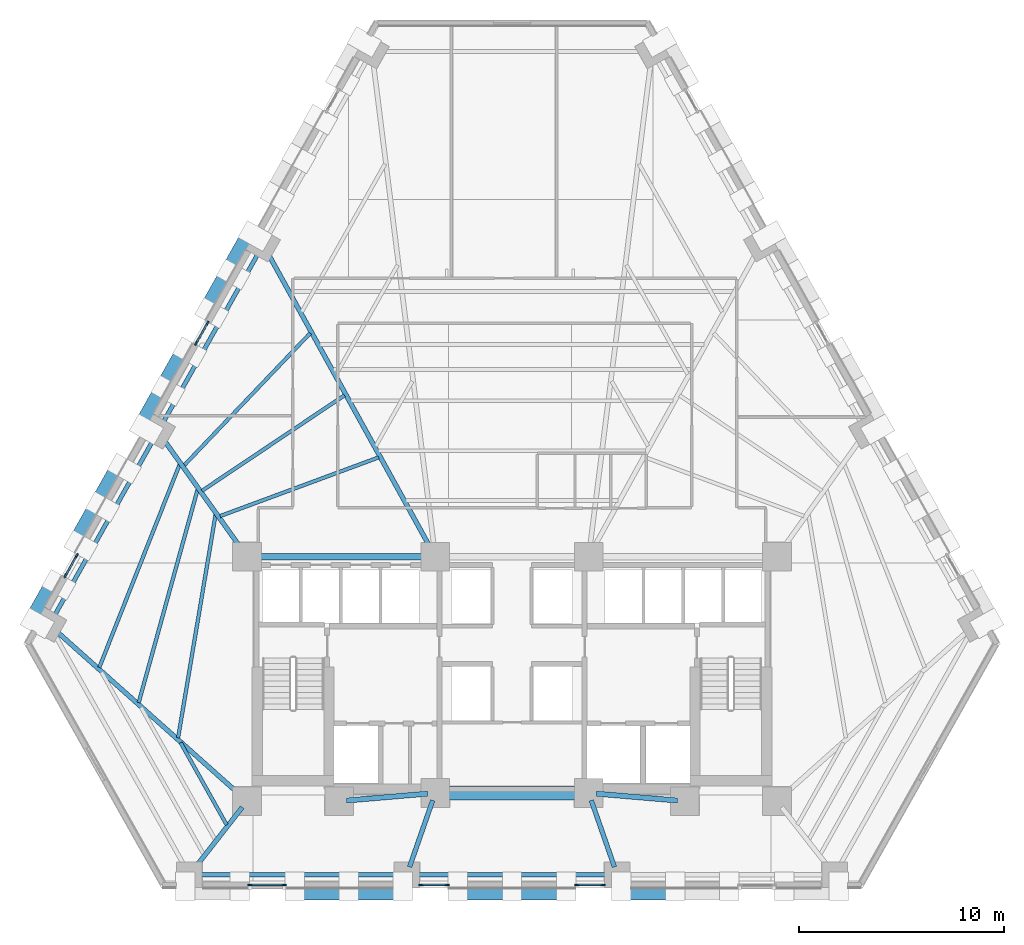
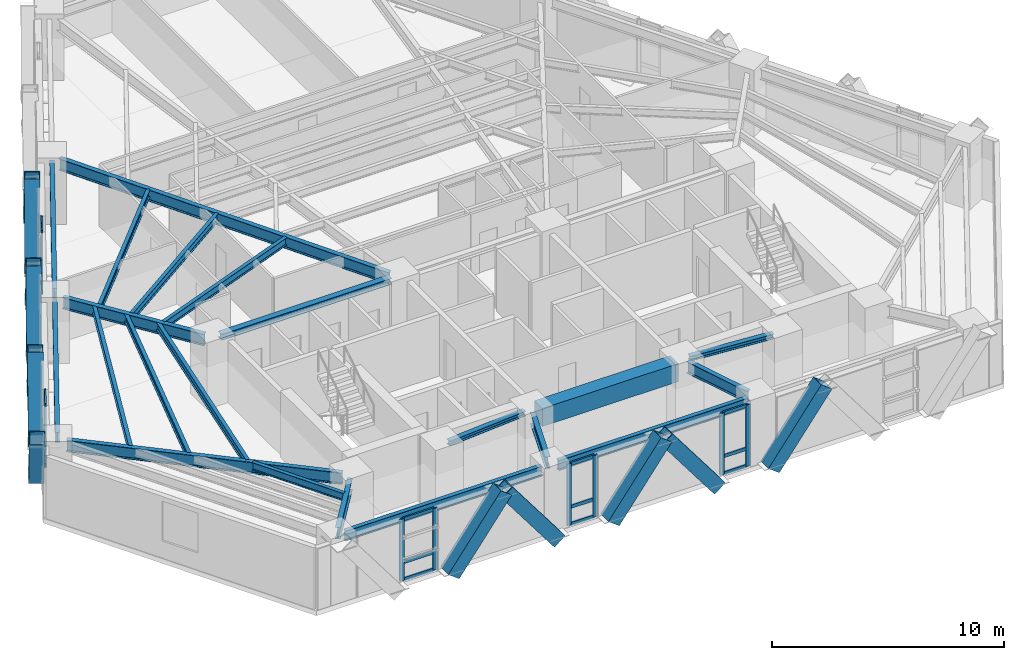
# One storey, part 2 of 13: 37 members, 21 beams, 5 elements without a shape of their own.
"""IFC4 building model written with IfcOpenShell, lengths in metres."""

from ifc_helpers import new_model, si_unit, direction, frame, origin, origin_2d, place, context, subcontext, project, spatial, rectangle, hollow_rectangle, i_section, extrude, material, material_profile, profile_set, type_object, element, aggregate, save


model = new_model("IFC4")

# Units and contexts
model_context = context("Model", 3, precision=1e-05, world=origin(), true_north=direction((0.0, 1.0)))
body_context = subcontext(model_context, "Body", "Model", "MODEL_VIEW")
ifc_project = project(units=[si_unit("LENGTHUNIT", "METRE"), si_unit("AREAUNIT", "SQUARE_METRE"), si_unit("VOLUMEUNIT", "CUBIC_METRE"), si_unit("PLANEANGLEUNIT", "RADIAN"), si_unit("MASSUNIT", "GRAM", prefix="KILO")], contexts=[model_context])

# Site, building, storey
site_placement = place(None, origin())
site = spatial("IfcSite", under=ifc_project, at=site_placement, CompositionType="ELEMENT")
building_placement = place(site_placement, origin())
building = spatial("IfcBuilding", under=site, at=building_placement, Name="Quenlor Broadcast Tower", CompositionType="ELEMENT")
storey_placement = place(building_placement, frame((0.0, 0.0, 55.60009765625)))
storey = spatial("IfcBuildingStorey", under=building, at=storey_placement, Name="L14", CompositionType="ELEMENT", Elevation=55.60009765625)

# Curtain wall, members
ifc_material_1 = material(Name="Architectural Terracotta and Low-E Glazing", Category="masonry")
curtain_wall_type = type_object("IfcCurtainWallType", Name="Unitised Terracotta Curtain Wall System Z1", PredefinedType="NOTDEFINED", material=ifc_material_1)
curtain_wall_1_placement = place(storey_placement, origin())
curtain_wall_1 = element("IfcCurtainWall", 1, at=curtain_wall_1_placement, inside=storey, type_object=curtain_wall_type, Name="L14 Curtain Wall CW1 (L14-SC-G1)", PredefinedType="NOTDEFINED")
ifc_material_2 = material(Name="Aluminium 6063-T6", Category="aluminium")
ifc_material_profile_1 = material_profile(ifc_material_2, rectangle(XDim=0.080078125, YDim=0.219970703125, at=origin_2d()))
ifc_profile_set_1 = profile_set([ifc_material_profile_1], Name="Aluminium 6063-T6 MULL80x220")
member_type_1 = type_object("IfcMemberType", Name="CW1 Aluminium Mullion MULL_CW1", PredefinedType="MULLION", material=ifc_profile_set_1)
member_1_placement = place(storey_placement, frame((-11.146484375, -20.840087890625, 0.0), z_axis=(0.0, 0.0, 1.0), x_axis=(0.0, -1.0, 0.0)))
member_1 = element("IfcMember", 2, at=member_1_placement, type_object=member_type_1, Name="CW1 mullion 1", PredefinedType="MULLION", context=body_context, shape_type="SweptSolid", body=[
    extrude(rectangle(XDim=0.080078125, YDim=0.219970703125, at=origin_2d()), origin(), (0.0, 0.0, 1.0), 3.25),
])
member_2_placement = place(storey_placement, frame((-12.794921875, -20.840087890625, 0.0), z_axis=(0.0, 0.0, 1.0), x_axis=(0.0, -1.0, 0.0)))
member_2 = element("IfcMember", 3, at=member_2_placement, type_object=member_type_1, Name="CW1 mullion 2", PredefinedType="MULLION", context=body_context, shape_type="SweptSolid", body=[
    extrude(rectangle(XDim=0.080078125, YDim=0.219970703125, at=origin_2d()), origin(), (0.0, 0.0, 1.0), 3.25),
])

curtain_wall_2_placement = place(storey_placement, origin())
curtain_wall_2 = element("IfcCurtainWall", 4, at=curtain_wall_2_placement, inside=storey, type_object=curtain_wall_type, Name="L14 Curtain Wall CW1 (L14-S-G1)", PredefinedType="NOTDEFINED")
member_3_placement = place(storey_placement, frame((4.455810546875, -20.840087890625, 0.0), z_axis=(0.0, 0.0, 1.0), x_axis=(0.0, -1.0, 0.0)))
member_3 = element("IfcMember", 5, at=member_3_placement, type_object=member_type_1, Name="CW1 mullion 1", PredefinedType="MULLION", context=body_context, shape_type="SweptSolid", body=[
    extrude(rectangle(XDim=0.080078125, YDim=0.219970703125, at=origin_2d()), origin(), (0.0, 0.0, 1.0), 3.25),
])
member_4_placement = place(storey_placement, frame((3.166015625, -20.840087890625, 0.0), z_axis=(0.0, 0.0, 1.0), x_axis=(0.0, -1.0, 0.0)))
member_4 = element("IfcMember", 6, at=member_4_placement, type_object=member_type_1, Name="CW1 mullion 2", PredefinedType="MULLION", context=body_context, shape_type="SweptSolid", body=[
    extrude(rectangle(XDim=0.080078125, YDim=0.219970703125, at=origin_2d()), origin(), (0.0, 0.0, 1.0), 3.25),
])

curtain_wall_3_placement = place(storey_placement, origin())
curtain_wall_3 = element("IfcCurtainWall", 7, at=curtain_wall_3_placement, inside=storey, type_object=curtain_wall_type, Name="L14 Curtain Wall CW1 (L14-S-G2)", PredefinedType="NOTDEFINED")
member_5_placement = place(storey_placement, frame((-3.166015625, -20.840087890625, 0.0), z_axis=(0.0, 0.0, 1.0), x_axis=(0.0, -1.0, 0.0)))
member_5 = element("IfcMember", 8, at=member_5_placement, type_object=member_type_1, Name="CW1 mullion 1", PredefinedType="MULLION", context=body_context, shape_type="SweptSolid", body=[
    extrude(rectangle(XDim=0.080078125, YDim=0.219970703125, at=origin_2d()), origin(), (0.0, 0.0, 1.0), 3.25),
])
member_6_placement = place(storey_placement, frame((-4.455810546875, -20.840087890625, 0.0), z_axis=(0.0, 0.0, 1.0), x_axis=(0.0, -1.0, 0.0)))
member_6 = element("IfcMember", 9, at=member_6_placement, type_object=member_type_1, Name="CW1 mullion 2", PredefinedType="MULLION", context=body_context, shape_type="SweptSolid", body=[
    extrude(rectangle(XDim=0.080078125, YDim=0.219970703125, at=origin_2d()), origin(), (0.0, 0.0, 1.0), 3.25),
])

curtain_wall_4_placement = place(storey_placement, origin())
curtain_wall_4 = element("IfcCurtainWall", 10, at=curtain_wall_4_placement, inside=storey, type_object=curtain_wall_type, Name="L14 Curtain Wall CW1 (L14-NWA-G1)", PredefinedType="NOTDEFINED")
member_7_placement = place(storey_placement, frame((-21.830322265625, -5.736083984375, 0.0), z_axis=(0.0, 0.0, 1.0), x_axis=(-0.871602077703, 0.490214053392, 0.0)))
member_7 = element("IfcMember", 11, at=member_7_placement, type_object=member_type_1, Name="CW1 mullion 1", PredefinedType="MULLION", context=body_context, shape_type="SweptSolid", body=[
    extrude(rectangle(XDim=0.080078125, YDim=0.219970703125, at=origin_2d()), origin(), (0.0, 0.0, 1.0), 3.25),
])
member_8_placement = place(storey_placement, frame((-21.277587890625, -4.75341796875, 0.0), z_axis=(0.0, 0.0, 1.0), x_axis=(-0.871602077703, 0.490214053392, 0.0)))
member_8 = element("IfcMember", 12, at=member_8_placement, type_object=member_type_1, Name="CW1 mullion 2", PredefinedType="MULLION", context=body_context, shape_type="SweptSolid", body=[
    extrude(rectangle(XDim=0.080078125, YDim=0.219970703125, at=origin_2d()), origin(), (0.0, 0.0, 1.0), 3.25),
])

curtain_wall_5_placement = place(storey_placement, origin())
curtain_wall_5 = element("IfcCurtainWall", 13, at=curtain_wall_5_placement, inside=storey, type_object=curtain_wall_type, Name="L14 Curtain Wall CW1 (L14-NW-G1)", PredefinedType="NOTDEFINED")
member_9_placement = place(storey_placement, frame((-15.436767578125, 5.63037109375, 0.0), z_axis=(0.0, 0.0, 1.0), x_axis=(-0.871566690057, 0.49027696742, 0.0)))
member_9 = element("IfcMember", 14, at=member_9_placement, type_object=member_type_1, Name="CW1 mullion 1", PredefinedType="MULLION", context=body_context, shape_type="SweptSolid", body=[
    extrude(rectangle(XDim=0.080078125, YDim=0.219970703125, at=origin_2d()), origin(), (0.0, 0.0, 1.0), 3.25),
])
member_10_placement = place(storey_placement, frame((-14.884033203125, 6.613037109375, 0.0), z_axis=(0.0, 0.0, 1.0), x_axis=(-0.871566690057, 0.49027696742, 0.0)))
member_10 = element("IfcMember", 15, at=member_10_placement, type_object=member_type_1, Name="CW1 mullion 2", PredefinedType="MULLION", context=body_context, shape_type="SweptSolid", body=[
    extrude(rectangle(XDim=0.080078125, YDim=0.219970703125, at=origin_2d()), origin(), (0.0, 0.0, 1.0), 3.25),
])

# Member
ifc_material_3 = material(Name="Aluminium 6063-T6", Category="aluminium")
ifc_material_profile_2 = material_profile(ifc_material_3, rectangle(XDim=0.080078125, YDim=0.179931640625, at=origin_2d()))
ifc_profile_set_2 = profile_set([ifc_material_profile_2], Name="Aluminium 6063-T6 TRAN80x180")
member_type_2 = type_object("IfcMemberType", Name="CW1 Aluminium Transom TRAN_CW1", PredefinedType="USERDEFINED", material=ifc_profile_set_2)
member_11_placement = place(storey_placement, frame((-11.1865234375, -20.840087890625, 0.039794921875), z_axis=(-1.0, 0.0, 0.0), x_axis=(0.0, -1.0, 0.0)))
member_11 = element("IfcMember", 16, at=member_11_placement, type_object=member_type_2, Name="CW1 transom 1.1", ObjectType="TRANSOM", PredefinedType="USERDEFINED", context=body_context, shape_type="SweptSolid", body=[
    extrude(rectangle(XDim=0.080078125, YDim=0.179931640625, at=origin_2d()), origin(), (0.0, 0.0, 1.0), 1.568359375),
])

member_12_placement = place(storey_placement, frame((-11.1865234375, -20.840087890625, 0.949951171875), z_axis=(-1.0, 0.0, 0.0), x_axis=(0.0, -1.0, 0.0)))
member_12 = element("IfcMember", 17, at=member_12_placement, type_object=member_type_2, Name="CW1 transom 1.2", ObjectType="TRANSOM", PredefinedType="USERDEFINED", context=body_context, shape_type="SweptSolid", body=[
    extrude(rectangle(XDim=0.080078125, YDim=0.179931640625, at=origin_2d()), origin(), (0.0, 0.0, 1.0), 1.568359375),
])

member_13_placement = place(storey_placement, frame((-11.1865234375, -20.840087890625, 3.2099609375), z_axis=(-1.0, 0.0, 0.0), x_axis=(0.0, -1.0, 0.0)))
member_13 = element("IfcMember", 18, at=member_13_placement, type_object=member_type_2, Name="CW1 transom 1.3", ObjectType="TRANSOM", PredefinedType="USERDEFINED", context=body_context, shape_type="SweptSolid", body=[
    extrude(rectangle(XDim=0.080078125, YDim=0.179931640625, at=origin_2d()), origin(), (0.0, 0.0, 1.0), 1.568359375),
])

aggregate(curtain_wall_1, [member_1, member_2, member_11, member_12, member_13])

member_14_placement = place(storey_placement, frame((4.415771484375, -20.840087890625, 0.039794921875), z_axis=(-1.0, 0.0, 0.0), x_axis=(0.0, -1.0, 0.0)))
member_14 = element("IfcMember", 19, at=member_14_placement, type_object=member_type_2, Name="CW1 transom 1.1", ObjectType="TRANSOM", PredefinedType="USERDEFINED", context=body_context, shape_type="SweptSolid", body=[
    extrude(rectangle(XDim=0.080078125, YDim=0.179931640625, at=origin_2d()), origin(), (0.0, 0.0, 1.0), 1.209716796875),
])

member_15_placement = place(storey_placement, frame((4.415771484375, -20.840087890625, 0.949951171875), z_axis=(-1.0, 0.0, 0.0), x_axis=(0.0, -1.0, 0.0)))
member_15 = element("IfcMember", 20, at=member_15_placement, type_object=member_type_2, Name="CW1 transom 1.2", ObjectType="TRANSOM", PredefinedType="USERDEFINED", context=body_context, shape_type="SweptSolid", body=[
    extrude(rectangle(XDim=0.080078125, YDim=0.179931640625, at=origin_2d()), origin(), (0.0, 0.0, 1.0), 1.209716796875),
])

member_16_placement = place(storey_placement, frame((4.415771484375, -20.840087890625, 3.2099609375), z_axis=(-1.0, 0.0, 0.0), x_axis=(0.0, -1.0, 0.0)))
member_16 = element("IfcMember", 21, at=member_16_placement, type_object=member_type_2, Name="CW1 transom 1.3", ObjectType="TRANSOM", PredefinedType="USERDEFINED", context=body_context, shape_type="SweptSolid", body=[
    extrude(rectangle(XDim=0.080078125, YDim=0.179931640625, at=origin_2d()), origin(), (0.0, 0.0, 1.0), 1.209716796875),
])

aggregate(curtain_wall_2, [member_3, member_4, member_14, member_15, member_16])

member_17_placement = place(storey_placement, frame((-3.2060546875, -20.840087890625, 0.039794921875), z_axis=(-1.0, 0.0, 0.0), x_axis=(0.0, -1.0, 0.0)))
member_17 = element("IfcMember", 22, at=member_17_placement, type_object=member_type_2, Name="CW1 transom 1.1", ObjectType="TRANSOM", PredefinedType="USERDEFINED", context=body_context, shape_type="SweptSolid", body=[
    extrude(rectangle(XDim=0.080078125, YDim=0.179931640625, at=origin_2d()), origin(), (0.0, 0.0, 1.0), 1.209716796875),
])

member_18_placement = place(storey_placement, frame((-3.2060546875, -20.840087890625, 0.949951171875), z_axis=(-1.0, 0.0, 0.0), x_axis=(0.0, -1.0, 0.0)))
member_18 = element("IfcMember", 23, at=member_18_placement, type_object=member_type_2, Name="CW1 transom 1.2", ObjectType="TRANSOM", PredefinedType="USERDEFINED", context=body_context, shape_type="SweptSolid", body=[
    extrude(rectangle(XDim=0.080078125, YDim=0.179931640625, at=origin_2d()), origin(), (0.0, 0.0, 1.0), 1.209716796875),
])

member_19_placement = place(storey_placement, frame((-3.2060546875, -20.840087890625, 3.2099609375), z_axis=(-1.0, 0.0, 0.0), x_axis=(0.0, -1.0, 0.0)))
member_19 = element("IfcMember", 24, at=member_19_placement, type_object=member_type_2, Name="CW1 transom 1.3", ObjectType="TRANSOM", PredefinedType="USERDEFINED", context=body_context, shape_type="SweptSolid", body=[
    extrude(rectangle(XDim=0.080078125, YDim=0.179931640625, at=origin_2d()), origin(), (0.0, 0.0, 1.0), 1.209716796875),
])

aggregate(curtain_wall_3, [member_5, member_6, member_17, member_18, member_19])

member_20_placement = place(storey_placement, frame((-21.810791015625, -5.701171875, 0.039794921875), z_axis=(0.490228036821, 0.871594212874, 0.0), x_axis=(-0.871594212874, 0.490228036821, 0.0)))
member_20 = element("IfcMember", 25, at=member_20_placement, type_object=member_type_2, Name="CW1 transom 1.1", ObjectType="TRANSOM", PredefinedType="USERDEFINED", context=body_context, shape_type="SweptSolid", body=[
    extrude(rectangle(XDim=0.080078125, YDim=0.179931640625, at=origin_2d()), origin(), (0.0, 0.0, 1.0), 1.04736328125),
])

member_21_placement = place(storey_placement, frame((-21.810791015625, -5.701171875, 0.949951171875), z_axis=(0.490228036821, 0.871594212874, 0.0), x_axis=(-0.871594212874, 0.490228036821, 0.0)))
member_21 = element("IfcMember", 26, at=member_21_placement, type_object=member_type_2, Name="CW1 transom 1.2", ObjectType="TRANSOM", PredefinedType="USERDEFINED", context=body_context, shape_type="SweptSolid", body=[
    extrude(rectangle(XDim=0.080078125, YDim=0.179931640625, at=origin_2d()), origin(), (0.0, 0.0, 1.0), 1.04736328125),
])

member_22_placement = place(storey_placement, frame((-21.810791015625, -5.701171875, 3.2099609375), z_axis=(0.490228036821, 0.871594212874, 0.0), x_axis=(-0.871594212874, 0.490228036821, 0.0)))
member_22 = element("IfcMember", 27, at=member_22_placement, type_object=member_type_2, Name="CW1 transom 1.3", ObjectType="TRANSOM", PredefinedType="USERDEFINED", context=body_context, shape_type="SweptSolid", body=[
    extrude(rectangle(XDim=0.080078125, YDim=0.179931640625, at=origin_2d()), origin(), (0.0, 0.0, 1.0), 1.04736328125),
])

aggregate(curtain_wall_4, [member_7, member_8, member_20, member_21, member_22])

member_23_placement = place(storey_placement, frame((-15.417236328125, 5.6650390625, 0.039794921875), z_axis=(0.490128451098, 0.87165021736, 0.0), x_axis=(-0.87165021736, 0.490128451098, 0.0)))
member_23 = element("IfcMember", 28, at=member_23_placement, type_object=member_type_2, Name="CW1 transom 1.1", ObjectType="TRANSOM", PredefinedType="USERDEFINED", context=body_context, shape_type="SweptSolid", body=[
    extrude(rectangle(XDim=0.080078125, YDim=0.179931640625, at=origin_2d()), origin(), (0.0, 0.0, 1.0), 1.047607421875),
])

member_24_placement = place(storey_placement, frame((-15.417236328125, 5.6650390625, 0.949951171875), z_axis=(0.490128451098, 0.87165021736, 0.0), x_axis=(-0.87165021736, 0.490128451098, 0.0)))
member_24 = element("IfcMember", 29, at=member_24_placement, type_object=member_type_2, Name="CW1 transom 1.2", ObjectType="TRANSOM", PredefinedType="USERDEFINED", context=body_context, shape_type="SweptSolid", body=[
    extrude(rectangle(XDim=0.080078125, YDim=0.179931640625, at=origin_2d()), origin(), (0.0, 0.0, 1.0), 1.047607421875),
])

member_25_placement = place(storey_placement, frame((-15.417236328125, 5.6650390625, 3.2099609375), z_axis=(0.490128451098, 0.87165021736, 0.0), x_axis=(-0.87165021736, 0.490128451098, 0.0)))
member_25 = element("IfcMember", 30, at=member_25_placement, type_object=member_type_2, Name="CW1 transom 1.3", ObjectType="TRANSOM", PredefinedType="USERDEFINED", context=body_context, shape_type="SweptSolid", body=[
    extrude(rectangle(XDim=0.080078125, YDim=0.179931640625, at=origin_2d()), origin(), (0.0, 0.0, 1.0), 1.047607421875),
])

aggregate(curtain_wall_5, [member_9, member_10, member_23, member_24, member_25])

# Beams
ifc_material_4 = material(Name="Concrete C50/60", Category="concrete")
ifc_material_profile_3 = material_profile(ifc_material_4, rectangle(XDim=0.699951171875, YDim=0.949951171875, at=origin_2d()))
ifc_profile_set_3 = profile_set([ifc_material_profile_3], Name="Concrete C50/60 RCB700x950")
beam_type_1 = type_object("IfcBeamType", Name="Core Coupling Beam Concrete C50/60 700x950", PredefinedType="BEAM", material=ifc_profile_set_3)
beam_1_placement = place(storey_placement, frame((-3.389892578125, -16.35009765625, 2.77490234375), z_axis=(1.0, 0.0, 0.0), x_axis=(0.0, 1.0, 0.0)))
element("IfcBeam", 31, at=beam_1_placement, inside=storey, type_object=beam_type_1, Name="L14 Core Coupling Beam 6", PredefinedType="BEAM", context=body_context, shape_type="SweptSolid", body=[
    extrude(rectangle(XDim=0.699951171875, YDim=0.949951171875, at=origin_2d()), origin(), (0.0, 0.0, 1.0), 6.77978515625),
])
ifc_material_5 = material(Name="Steel S355", Category="steel")
ifc_material_profile_4 = material_profile(ifc_material_5, i_section(OverallWidth=0.25390625, OverallDepth=0.25390625, WebThickness=0.008544921875, FlangeThickness=0.01416015625, FilletRadius=0.013916015625, at=origin_2d()))
ifc_profile_set_4 = profile_set([ifc_material_profile_4], Name="Steel S355 250UC72.9")
beam_type_2 = type_object("IfcBeamType", Name="Core Opening Lintel Beam Steel S355 250UC72.9", PredefinedType="LINTEL", material=ifc_profile_set_4)
for number, where, z_axis, x_axis, name in (
    (32, (-8.09130859375, -16.719482421875, 3.123046875), (0.996399763903, 0.084779186679, 0.0), (-0.084779186679, 0.996399763903, 0.0), "L14 Core Opening Lintel Beam 4"),
    (33, (4.108642578125, -16.380615234375, 3.123046875), (0.996399763903, -0.084779186679, 0.0), (0.084779186679, 0.996399763903, 0.0), "L14 Core Opening Lintel Beam 5"),
):
    element("IfcBeam", number, at=place(storey_placement, frame(where, z_axis=z_axis, x_axis=x_axis)), inside=storey, type_object=beam_type_2, Name=name, PredefinedType="LINTEL", context=body_context, shape_type="SweptSolid", body=[
        extrude(i_section(OverallWidth=0.25390625, OverallDepth=0.25390625, WebThickness=0.008544921875, FlangeThickness=0.01416015625, FilletRadius=0.013916015625, at=origin_2d()), origin(), (0.0, 0.0, 1.0), 3.9970703125),
    ])
ifc_material_6 = material(Name="Steel S355", Category="steel")
ifc_material_profile_5 = material_profile(ifc_material_6, i_section(OverallWidth=0.306884765625, OverallDepth=0.314697265625, WebThickness=0.011962890625, FlangeThickness=0.018798828125, FilletRadius=0.0166015625, at=origin_2d()))
ifc_profile_set_5 = profile_set([ifc_material_profile_5], Name="Steel S355 310UC118")
beam_type_3 = type_object("IfcBeamType", Name="Core Tie Beam Steel S355 310UC118", PredefinedType="BEAM", material=ifc_profile_set_5)
beam_2_placement = place(storey_placement, frame((-12.590087890625, -4.800048828125, 3.092529296875), z_axis=(1.0, 0.0, 0.0), x_axis=(0.0, 1.0, 0.0)))
element("IfcBeam", 34, at=beam_2_placement, inside=storey, type_object=beam_type_3, Name="L14 Core Tie Beam 1", PredefinedType="BEAM", context=body_context, shape_type="SweptSolid", body=[
    extrude(i_section(OverallWidth=0.306884765625, OverallDepth=0.314697265625, WebThickness=0.011962890625, FlangeThickness=0.018798828125, FilletRadius=0.0166015625, at=origin_2d()), origin(), (0.0, 0.0, 1.0), 8.47998046875),
])

# Members
ifc_material_7 = material(Name="Steel S355", Category="steel")
ifc_material_profile_6 = material_profile(ifc_material_7, hollow_rectangle(XDim=0.679931640625, YDim=0.679931640625, WallThickness=0.034912109375, at=origin_2d()))
ifc_profile_set_6 = profile_set([ifc_material_profile_6], Name="Steel S355 RHS680x680x35")
member_type_3 = type_object("IfcMemberType", Name="Perimeter Diagonal Lattice Brace Z1 Steel S355 RHS680x35", PredefinedType="BRACE", material=ifc_profile_set_6)
for number, where, z_axis, x_axis, name in (
    (35, (2.644287109375, -21.235107421875, -0.1201171875), (-0.600463982679, 0.0, 0.799651802665), (0.0, -1.0, 0.0), "L14 Perimeter Diamond Lattice S-C2S"),
    (36, (5.336181640625, -21.235107421875, -0.1201171875), (0.60049964856, 0.0, 0.799625019668), (0.0, 1.0, 0.0), "L14 Perimeter Diamond Lattice S-C2B"),
    (37, (-5.336181640625, -21.235107421875, -0.1201171875), (-0.60049964856, 0.0, 0.799625019668), (0.0, -1.0, 0.0), "L14 Perimeter Diamond Lattice S-C3S"),
    (38, (-2.644287109375, -21.235107421875, -0.1201171875), (0.600463982679, 0.0, 0.799651802665), (0.0, 1.0, 0.0), "L14 Perimeter Diamond Lattice S-C3B"),
    (39, (-10.624755859375, -21.235107421875, -0.1201171875), (0.600463982679, 0.0, 0.799651802665), (0.0, 1.0, 0.0), "L14 Perimeter Diamond Lattice S-C4B"),
):
    element("IfcMember", number, at=place(storey_placement, frame(where, z_axis=z_axis, x_axis=x_axis)), inside=storey, type_object=member_type_3, Name=name, PredefinedType="BRACE", context=body_context, shape_type="SweptSolid", body=[
        extrude(hollow_rectangle(XDim=0.679931640625, YDim=0.679931640625, WallThickness=0.034912109375, at=origin_2d()), origin(), (0.0, 0.0, 1.0), 4.376953125),
    ])
member_26_placement = place(storey_placement, frame((-21.359130859375, -4.092529296875, -0.1201171875), z_axis=(0.256375341489, 0.45579159737, 0.852364771705), x_axis=(-0.871581609758, 0.490250443683, 0.0)))
element("IfcMember", 40, at=member_26_placement, inside=storey, type_object=member_type_3, Name="L14 Perimeter Diamond Lattice NW-C1S", PredefinedType="BRACE", context=body_context, shape_type="SweptSolid", body=[
    extrude(hollow_rectangle(XDim=0.679931640625, YDim=0.679931640625, WallThickness=0.034912109375, at=origin_2d()), origin(), (0.0, 0.0, 1.0), 4.106201171875),
])
member_27_placement = place(storey_placement, frame((-22.4375, -6.009521484375, -0.1201171875), z_axis=(-0.256368393635, -0.455838699906, 0.852341672343), x_axis=(0.871608931644, -0.490201866865, 0.0)))
element("IfcMember", 41, at=member_27_placement, inside=storey, type_object=member_type_3, Name="L14 Perimeter Diamond Lattice NW-C1B", PredefinedType="BRACE", context=body_context, shape_type="SweptSolid", body=[
    extrude(hollow_rectangle(XDim=0.679931640625, YDim=0.679931640625, WallThickness=0.034912109375, at=origin_2d()), origin(), (0.0, 0.0, 1.0), 4.1064453125),
])
for number, where, z_axis, x_axis, name in (
    (42, (-18.162353515625, 1.5908203125, -0.1201171875), (0.256375341489, 0.45579159737, 0.852364771705), (-0.871581609758, 0.490250443683, 0.0), "L14 Perimeter Diamond Lattice NW-C2S"),
    (43, (-19.24072265625, -0.326416015625, -0.1201171875), (-0.256375341489, -0.45579159737, 0.852364771705), (0.871581609758, -0.490250443683, 0.0), "L14 Perimeter Diamond Lattice NW-C2B"),
):
    element("IfcMember", number, at=place(storey_placement, frame(where, z_axis=z_axis, x_axis=x_axis)), inside=storey, type_object=member_type_3, Name=name, PredefinedType="BRACE", context=body_context, shape_type="SweptSolid", body=[
        extrude(hollow_rectangle(XDim=0.679931640625, YDim=0.679931640625, WallThickness=0.034912109375, at=origin_2d()), origin(), (0.0, 0.0, 1.0), 4.106201171875),
    ])
member_28_placement = place(storey_placement, frame((-14.965576171875, 7.273681640625, -0.1201171875), z_axis=(0.256368393635, 0.455838699906, 0.852341672343), x_axis=(-0.871608931644, 0.490201866865, 0.0)))
element("IfcMember", 44, at=member_28_placement, inside=storey, type_object=member_type_3, Name="L14 Perimeter Diamond Lattice NW-C3S", PredefinedType="BRACE", context=body_context, shape_type="SweptSolid", body=[
    extrude(hollow_rectangle(XDim=0.679931640625, YDim=0.679931640625, WallThickness=0.034912109375, at=origin_2d()), origin(), (0.0, 0.0, 1.0), 4.1064453125),
])
for number, where, z_axis, x_axis, name in (
    (45, (-16.0439453125, 5.356689453125, -0.1201171875), (-0.256375341489, -0.45579159737, 0.852364771705), (0.871581609758, -0.490250443683, 0.0), "L14 Perimeter Diamond Lattice NW-C3B"),
    (46, (-12.84716796875, 11.039794921875, -0.1201171875), (-0.256375341489, -0.45579159737, 0.852364771705), (0.871581609758, -0.490250443683, 0.0), "L14 Perimeter Diamond Lattice NW-C4B"),
):
    element("IfcMember", number, at=place(storey_placement, frame(where, z_axis=z_axis, x_axis=x_axis)), inside=storey, type_object=member_type_3, Name=name, PredefinedType="BRACE", context=body_context, shape_type="SweptSolid", body=[
        extrude(hollow_rectangle(XDim=0.679931640625, YDim=0.679931640625, WallThickness=0.034912109375, at=origin_2d()), origin(), (0.0, 0.0, 1.0), 4.106201171875),
    ])

# Beams
ifc_material_8 = material(Name="Steel S355", Category="steel")
ifc_material_profile_7 = material_profile(ifc_material_8, i_section(OverallWidth=0.208984375, OverallDepth=0.532958984375, WebThickness=0.01025390625, FlangeThickness=0.015625, FilletRadius=0.013916015625, at=origin_2d()))
ifc_profile_set_7 = profile_set([ifc_material_profile_7], Name="Steel S355 530UB92.4")
beam_type_4 = type_object("IfcBeamType", Name="Perimeter Spandrel Beam Z1 Steel S355 530UB92.4", PredefinedType="SPANDREL", material=ifc_profile_set_7)
beam_3_placement = place(storey_placement, frame((-15.35498046875, -20.35009765625, 2.9833984375), z_axis=(1.0, 0.0, 0.0), x_axis=(0.0, 1.0, 0.0)))
element("IfcBeam", 47, at=beam_3_placement, inside=storey, type_object=beam_type_4, Name="L14 Spandrel Beam S1-S2", PredefinedType="SPANDREL", context=body_context, shape_type="SweptSolid", body=[
    extrude(i_section(OverallWidth=0.208984375, OverallDepth=0.532958984375, WebThickness=0.01025390625, FlangeThickness=0.015625, FilletRadius=0.013916015625, at=origin_2d()), origin(), (0.0, 0.0, 1.0), 9.80419921875),
])
beam_4_placement = place(storey_placement, frame((-4.730712890625, -20.35009765625, 2.9833984375), z_axis=(1.0, 0.0, 0.0), x_axis=(0.0, 1.0, 0.0)))
element("IfcBeam", 48, at=beam_4_placement, inside=storey, type_object=beam_type_4, Name="L14 Spandrel Beam S2-S3", PredefinedType="SPANDREL", context=body_context, shape_type="SweptSolid", body=[
    extrude(i_section(OverallWidth=0.208984375, OverallDepth=0.532958984375, WebThickness=0.01025390625, FlangeThickness=0.015625, FilletRadius=0.013916015625, at=origin_2d()), origin(), (0.0, 0.0, 1.0), 9.46142578125),
])
beam_5_placement = place(storey_placement, frame((-12.364013671875, 10.093505859375, 2.9833984375), z_axis=(-0.490257642051, -0.871577560755, 0.0), x_axis=(0.871577560755, -0.490257642051, 0.0)))
element("IfcBeam", 49, at=beam_5_placement, inside=storey, type_object=beam_type_4, Name="L14 Spandrel Beam NW2-NW3", PredefinedType="SPANDREL", context=body_context, shape_type="SweptSolid", body=[
    extrude(i_section(OverallWidth=0.208984375, OverallDepth=0.532958984375, WebThickness=0.01025390625, FlangeThickness=0.015625, FilletRadius=0.013916015625, at=origin_2d()), origin(), (0.0, 0.0, 1.0), 9.665771484375),
])
beam_6_placement = place(storey_placement, frame((-17.5048828125, 0.954345703125, 2.9833984375), z_axis=(-0.490257767622, -0.871577490121, 0.0), x_axis=(0.871577490121, -0.490257767622, 0.0)))
element("IfcBeam", 50, at=beam_6_placement, inside=storey, type_object=beam_type_4, Name="L14 Spandrel Beam NW3-NW4", PredefinedType="SPANDREL", context=body_context, shape_type="SweptSolid", body=[
    extrude(i_section(OverallWidth=0.208984375, OverallDepth=0.532958984375, WebThickness=0.01025390625, FlangeThickness=0.015625, FilletRadius=0.013916015625, at=origin_2d()), origin(), (0.0, 0.0, 1.0), 10.015380859375),
])
ifc_material_9 = material(Name="Steel S355", Category="steel")
ifc_material_profile_8 = material_profile(ifc_material_9, i_section(OverallWidth=0.177978515625, OverallDepth=0.406494140625, WebThickness=0.0078125, FlangeThickness=0.0126953125, FilletRadius=0.011474609375, at=origin_2d()))
ifc_profile_set_8 = profile_set([ifc_material_profile_8], Name="Steel S355 410UB59.7")
beam_type_5 = type_object("IfcBeamType", Name="Tower Composite Joist Z1 Steel S355 410UB59.7", PredefinedType="JOIST", material=ifc_profile_set_8)
beam_7_placement = place(storey_placement, frame((-14.268310546875, -2.81640625, 3.046630859375), z_axis=(0.937824633945, 0.347109429383, 0.0), x_axis=(-0.347109429383, 0.937824633945, 0.0)))
element("IfcBeam", 51, at=beam_7_placement, inside=storey, type_object=beam_type_5, Name="L14 Secondary Composite Joist 7", PredefinedType="JOIST", context=body_context, shape_type="SweptSolid", body=[
    extrude(i_section(OverallWidth=0.177978515625, OverallDepth=0.406494140625, WebThickness=0.0078125, FlangeThickness=0.0126953125, FilletRadius=0.011474609375, at=origin_2d()), origin(), (0.0, 0.0, 1.0), 8.26513671875),
])
beam_8_placement = place(storey_placement, frame((-15.147705078125, -1.577392578125, 3.046630859375), z_axis=(0.830625844363, 0.556830949819, 0.0), x_axis=(-0.556830949819, 0.830625844363, 0.0)))
element("IfcBeam", 52, at=beam_8_placement, inside=storey, type_object=beam_type_5, Name="L14 Secondary Composite Joist 8", PredefinedType="JOIST", context=body_context, shape_type="SweptSolid", body=[
    extrude(i_section(OverallWidth=0.177978515625, OverallDepth=0.406494140625, WebThickness=0.0078125, FlangeThickness=0.0126953125, FilletRadius=0.011474609375, at=origin_2d()), origin(), (0.0, 0.0, 1.0), 8.374755859375),
])
beam_9_placement = place(storey_placement, frame((-16.029541015625, -0.341796875, 3.046630859375), z_axis=(0.690241086162, 0.723579465556, 0.0), x_axis=(-0.723579465556, 0.690241086162, 0.0)))
element("IfcBeam", 53, at=beam_9_placement, inside=storey, type_object=beam_type_5, Name="L14 Secondary Composite Joist 9", PredefinedType="JOIST", context=body_context, shape_type="SweptSolid", body=[
    extrude(i_section(OverallWidth=0.177978515625, OverallDepth=0.406494140625, WebThickness=0.0078125, FlangeThickness=0.0126953125, FilletRadius=0.011474609375, at=origin_2d()), origin(), (0.0, 0.0, 1.0), 8.93408203125),
])
beam_10_placement = place(storey_placement, frame((-16.31982421875, -13.65478515625, 3.046630859375), z_axis=(0.16559360599, 0.986194077074, 0.0), x_axis=(-0.986194077074, 0.16559360599, 0.0)))
element("IfcBeam", 54, at=beam_10_placement, inside=storey, type_object=beam_type_5, Name="L14 Secondary Composite Joist 13", PredefinedType="JOIST", context=body_context, shape_type="SweptSolid", body=[
    extrude(i_section(OverallWidth=0.177978515625, OverallDepth=0.406494140625, WebThickness=0.0078125, FlangeThickness=0.0126953125, FilletRadius=0.011474609375, at=origin_2d()), origin(), (0.0, 0.0, 1.0), 11.06787109375),
])
beam_11_placement = place(storey_placement, frame((-18.2451171875, -11.93310546875, 3.046630859375), z_axis=(0.266390054368, 0.963865311615, 0.0), x_axis=(-0.963865311615, 0.266390054368, 0.0)))
element("IfcBeam", 55, at=beam_11_placement, inside=storey, type_object=beam_type_5, Name="L14 Secondary Composite Joist 14", PredefinedType="JOIST", context=body_context, shape_type="SweptSolid", body=[
    extrude(i_section(OverallWidth=0.177978515625, OverallDepth=0.406494140625, WebThickness=0.0078125, FlangeThickness=0.0126953125, FilletRadius=0.011474609375, at=origin_2d()), origin(), (0.0, 0.0, 1.0), 10.80810546875),
])
beam_12_placement = place(storey_placement, frame((-20.170166015625, -10.212158203125, 3.046630859375), z_axis=(0.367884833597, 0.929871361646, 0.0), x_axis=(-0.929871361646, 0.367884833597, 0.0)))
element("IfcBeam", 56, at=beam_12_placement, inside=storey, type_object=beam_type_5, Name="L14 Secondary Composite Joist 15", PredefinedType="JOIST", context=body_context, shape_type="SweptSolid", body=[
    extrude(i_section(OverallWidth=0.177978515625, OverallDepth=0.406494140625, WebThickness=0.0078125, FlangeThickness=0.0126953125, FilletRadius=0.011474609375, at=origin_2d()), origin(), (0.0, 0.0, 1.0), 10.669921875),
])
beam_13_placement = place(storey_placement, frame((-13.9462890625, -17.904296875, 3.046630859375), z_axis=(-0.489062021968, 0.872249011848, 0.0), x_axis=(-0.872249011848, -0.489062021968, 0.0)))
element("IfcBeam", 57, at=beam_13_placement, inside=storey, type_object=beam_type_5, Name="L14 Secondary Composite Joist 19", PredefinedType="JOIST", context=body_context, shape_type="SweptSolid", body=[
    extrude(i_section(OverallWidth=0.177978515625, OverallDepth=0.406494140625, WebThickness=0.0078125, FlangeThickness=0.0126953125, FilletRadius=0.011474609375, at=origin_2d()), origin(), (0.0, 0.0, 1.0), 4.6025390625),
])
ifc_material_10 = material(Name="Steel S355", Category="steel")
ifc_material_profile_9 = material_profile(ifc_material_10, i_section(OverallWidth=0.22900390625, OverallDepth=0.611572265625, WebThickness=0.011962890625, FlangeThickness=0.01953125, FilletRadius=0.013916015625, at=origin_2d()))
ifc_profile_set_9 = profile_set([ifc_material_profile_9], Name="Steel S355 610UB125")
beam_type_6 = type_object("IfcBeamType", Name="Tower Primary Floor Beam Z1 Steel S355 610UB125", PredefinedType="BEAM", material=ifc_profile_set_9)
beam_14_placement = place(storey_placement, frame((-15.512451171875, -20.027099609375, 2.944091796875), z_axis=(0.615968610193, 0.78777069713, 0.0), x_axis=(-0.78777069713, 0.615968610193, 0.0)))
element("IfcBeam", 58, at=beam_14_placement, inside=storey, type_object=beam_type_6, Name="L14 Primary Radial Beam S1", PredefinedType="BEAM", context=body_context, shape_type="SweptSolid", body=[
    extrude(i_section(OverallWidth=0.22900390625, OverallDepth=0.611572265625, WebThickness=0.011962890625, FlangeThickness=0.01953125, FilletRadius=0.013916015625, at=origin_2d()), origin(), (0.0, 0.0, 1.0), 3.780029296875),
])
for number, where, z_axis, x_axis, name in (
    (59, (-5.006103515625, -19.962646484375, 2.944091796875), (0.328427161327, 0.944529300606, 0.0), (-0.944529300606, 0.328427161327, 0.0), "L14 Primary Radial Beam S2"),
    (60, (5.006103515625, -19.962646484375, 2.944091796875), (-0.328427161327, 0.944529300606, 0.0), (-0.944529300606, -0.328427161327, 0.0), "L14 Primary Radial Beam S3"),
):
    element("IfcBeam", number, at=place(storey_placement, frame(where, z_axis=z_axis, x_axis=x_axis)), inside=storey, type_object=beam_type_6, Name=name, PredefinedType="BEAM", context=body_context, shape_type="SweptSolid", body=[
        extrude(i_section(OverallWidth=0.22900390625, OverallDepth=0.611572265625, WebThickness=0.011962890625, FlangeThickness=0.01953125, FilletRadius=0.013916015625, at=origin_2d()), origin(), (0.0, 0.0, 1.0), 3.44482421875),
    ])
beam_15_placement = place(storey_placement, frame((-11.965087890625, 10.091796875, 2.944091796875), z_axis=(0.483026493693, -0.875605736842, 0.0), x_axis=(0.875605736842, 0.483026493693, 0.0)))
element("IfcBeam", 61, at=beam_15_placement, inside=storey, type_object=beam_type_6, Name="L14 Primary Radial Beam NW2", PredefinedType="BEAM", context=body_context, shape_type="SweptSolid", body=[
    extrude(i_section(OverallWidth=0.22900390625, OverallDepth=0.611572265625, WebThickness=0.011962890625, FlangeThickness=0.01953125, FilletRadius=0.013916015625, at=origin_2d()), origin(), (0.0, 0.0, 1.0), 16.62744140625),
])
beam_16_placement = place(storey_placement, frame((-17.06591796875, 0.977783203125, 2.944091796875), z_axis=(0.580212680853, -0.814465005373, 0.0), x_axis=(0.814465005373, 0.580212680853, 0.0)))
element("IfcBeam", 62, at=beam_16_placement, inside=storey, type_object=beam_type_6, Name="L14 Primary Radial Beam NW3", PredefinedType="BEAM", context=body_context, shape_type="SweptSolid", body=[
    extrude(i_section(OverallWidth=0.22900390625, OverallDepth=0.611572265625, WebThickness=0.011962890625, FlangeThickness=0.01953125, FilletRadius=0.013916015625, at=origin_2d()), origin(), (0.0, 0.0, 1.0), 6.7138671875),
])
beam_17_placement = place(storey_placement, frame((-22.31005859375, -8.40478515625, 2.944091796875), z_axis=(0.746413754585, -0.665482161268, 0.0), x_axis=(0.665482161268, 0.746413754585, 0.0)))
element("IfcBeam", 63, at=beam_17_placement, inside=storey, type_object=beam_type_6, Name="L14 Primary Radial Beam NW4", PredefinedType="BEAM", context=body_context, shape_type="SweptSolid", body=[
    extrude(i_section(OverallWidth=0.22900390625, OverallDepth=0.611572265625, WebThickness=0.011962890625, FlangeThickness=0.01953125, FilletRadius=0.013916015625, at=origin_2d()), origin(), (0.0, 0.0, 1.0), 12.159912109375),
])

save(model, "model.ifc")
